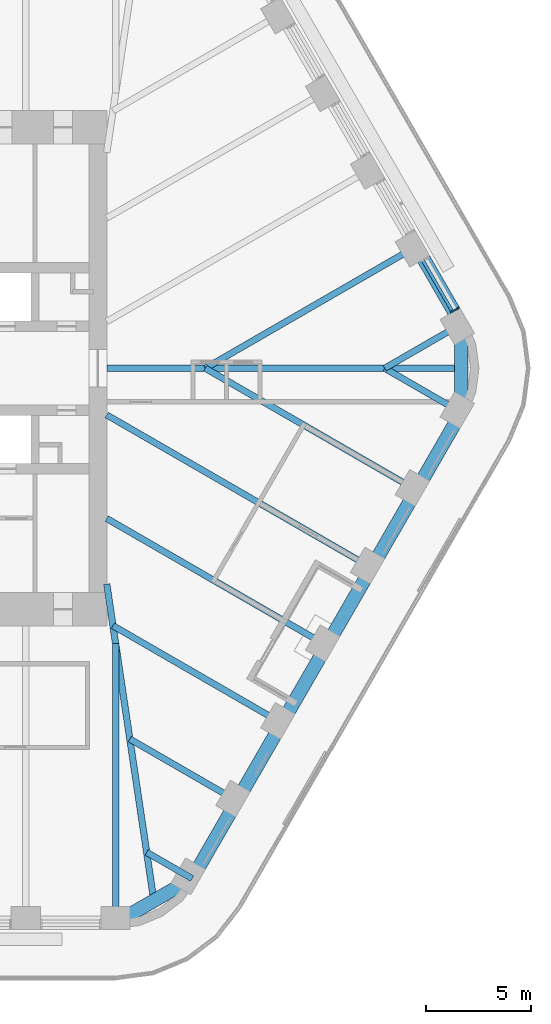
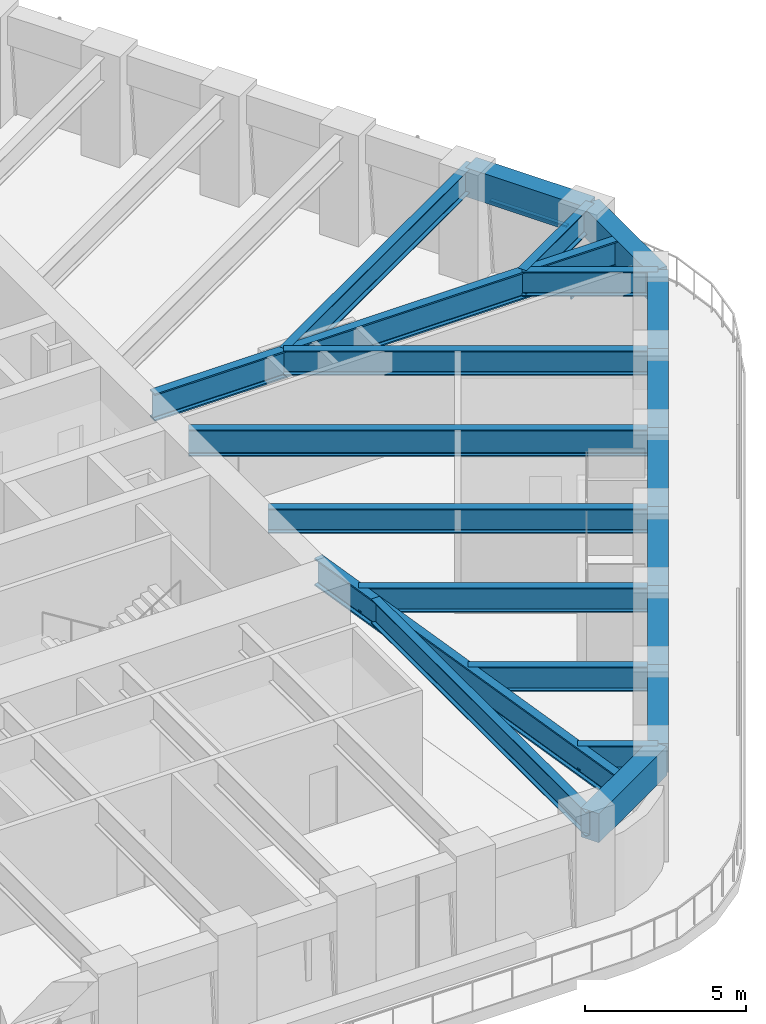
# One storey, part 5 of 19: 21 beams, 2 members, 1 element without a shape of its own.
"""IFC4 building model written with IfcOpenShell, lengths in metres."""

from ifc_helpers import new_model, si_unit, direction, frame, origin, origin_2d, place, context, subcontext, project, spatial, rectangle, i_section, extrude, material, material_profile, profile_set, type_object, element, aggregate, save


model = new_model("IFC4")

# Units and contexts
model_context = context("Model", 3, precision=1e-05, world=origin(), true_north=direction((0.0, 1.0)))
body_context = subcontext(model_context, "Body", "Model", "MODEL_VIEW")
ifc_project = project(units=[si_unit("LENGTHUNIT", "METRE"), si_unit("AREAUNIT", "SQUARE_METRE"), si_unit("VOLUMEUNIT", "CUBIC_METRE"), si_unit("PLANEANGLEUNIT", "RADIAN"), si_unit("MASSUNIT", "GRAM", prefix="KILO")], contexts=[model_context])

# Site, building, storey
site_placement = place(None, origin())
site = spatial("IfcSite", under=ifc_project, at=site_placement, CompositionType="ELEMENT")
building_placement = place(site_placement, origin())
building = spatial("IfcBuilding", under=site, at=building_placement, Name="Tarfa Lantern Tower", CompositionType="ELEMENT")
storey_placement = place(building_placement, frame((0.0, 0.0, 328.300048828125)))
storey = spatial("IfcBuildingStorey", under=building, at=storey_placement, Name="L74", CompositionType="ELEMENT", Elevation=328.300048828125)

# Curtain wall, members
ifc_material_1 = material(Name="Aluminium framed curtain wall", Category="aluminium")
curtain_wall_type = type_object("IfcCurtainWallType", Name="CW4 CANTED GLAZING EXECUTIVE ZONE 2900", PredefinedType="USERDEFINED", material=ifc_material_1)
curtain_wall_placement = place(storey_placement, origin())
curtain_wall = element("IfcCurtainWall", 1, at=curtain_wall_placement, inside=storey, type_object=curtain_wall_type, Name="CW4 NE L74", ObjectType="CURTAIN WALL", PredefinedType="USERDEFINED")
ifc_material_2 = material(Name="Aluminium mullion", Category="aluminium")
ifc_material_profile_1 = material_profile(ifc_material_2, rectangle(XDim=0.06494140625, YDim=0.199951171875, at=origin_2d()), Name="AL MULLION 65x200")
ifc_profile_set_1 = profile_set([ifc_material_profile_1], Name="Aluminium mullion")
member_type_1 = type_object("IfcMemberType", Name="CWM1 MULLION 65x200", PredefinedType="MULLION", material=ifc_profile_set_1)
member_1_placement = place(storey_placement, frame((29.13623046875, 2.83447265625, 0.0), z_axis=(-0.074316405553, -0.042945823525, 0.996309554359), x_axis=(0.500342721131, -0.865827443207, 0.0)))
member_1 = element("IfcMember", 2, at=member_1_placement, type_object=member_type_1, Name="CW4 mullion 1", PredefinedType="MULLION", context=body_context, shape_type="SweptSolid", body=[
    extrude(rectangle(XDim=0.06494140625, YDim=0.199951171875, at=origin_2d()), origin(), (0.0, 0.0, 1.0), 2.91064453125),
])
ifc_material_3 = material(Name="Aluminium transom", Category="aluminium")
ifc_material_profile_2 = material_profile(ifc_material_3, rectangle(XDim=0.14990234375, YDim=0.06494140625, at=origin_2d()), Name="AL TRANSOM 150x65")
ifc_profile_set_2 = profile_set([ifc_material_profile_2], Name="Aluminium transom")
member_type_2 = type_object("IfcMemberType", Name="CWT1 TRANSOM 150x65", PredefinedType="USERDEFINED", material=ifc_profile_set_2)
member_2_placement = place(storey_placement, frame((28.906005859375, 2.739013671875, 2.867431640625), z_axis=(-0.499993790352, 0.866028988896, 0.0), x_axis=(-0.866028988896, -0.499993790352, 0.0)))
member_2 = element("IfcMember", 3, at=member_2_placement, type_object=member_type_2, Name="CW4 transom 1.2", ObjectType="TRANSOM", PredefinedType="USERDEFINED", context=body_context, shape_type="SweptSolid", body=[
    extrude(rectangle(XDim=0.14990234375, YDim=0.06494140625, at=origin_2d()), origin(), (0.0, 0.0, 1.0), 2.751953125),
])
aggregate(curtain_wall, [member_1, member_2])

# Beams
ifc_material_4 = material(Name="Concrete C80/95", Category="concrete")
ifc_material_profile_3 = material_profile(ifc_material_4, rectangle(XDim=0.64990234375, YDim=1.10009765625, at=origin_2d()), Name="RC 650x1100")
ifc_profile_set_3 = profile_set([ifc_material_profile_3], Name="Concrete C80/95")
beam_type_1 = type_object("IfcBeamType", Name="EB4 RC 650x1100", PredefinedType="SPANDREL", material=ifc_profile_set_3)
beam_1_placement = place(storey_placement, frame((29.3466796875, 2.110107421875, 3.449951171875), z_axis=(-0.499984039138, 0.866034618596, 0.0), x_axis=(-0.866034618596, -0.499984039138, 0.0)))
element("IfcBeam", 4, at=beam_1_placement, inside=storey, type_object=beam_type_1, Name="Edge beam NE0", PredefinedType="SPANDREL", context=body_context, shape_type="SweptSolid", body=[
    extrude(rectangle(XDim=0.64990234375, YDim=1.10009765625, at=origin_2d()), origin(), (0.0, 0.0, 1.0), 4.281982421875),
])
beam_2_placement = place(storey_placement, frame((12.845947265625, -26.469970703125, 3.449951171875), z_axis=(0.866048788483, 0.499959494327, 0.0), x_axis=(-0.499959494327, 0.866048788483, 0.0)))
element("IfcBeam", 5, at=beam_2_placement, inside=storey, type_object=beam_type_1, Name="Edge beam S6", PredefinedType="SPANDREL", context=body_context, shape_type="SweptSolid", body=[
    extrude(rectangle(XDim=0.64990234375, YDim=1.10009765625, at=origin_2d()), origin(), (0.0, 0.0, 1.0), 4.219970703125),
])
for number, where, z_axis, x_axis, name in (
    (6, (16.500732421875, -24.360107421875, 3.449951171875), (0.499959351497, 0.866048870937, 0.0), (-0.866048870937, 0.499959351497, 0.0), "Edge beam SE0"),
    (7, (18.6416015625, -20.651611328125, 3.449951171875), (0.500026801138, 0.866009929587, 0.0), (-0.866009929587, 0.500026801138, 0.0), "Edge beam SE1"),
    (8, (20.78271484375, -16.943359375, 3.449951171875), (0.499984039138, 0.866034618596, 0.0), (-0.866034618596, 0.499984039138, 0.0), "Edge beam SE2"),
):
    element("IfcBeam", number, at=place(storey_placement, frame(where, z_axis=z_axis, x_axis=x_axis)), inside=storey, type_object=beam_type_1, Name=name, PredefinedType="SPANDREL", context=body_context, shape_type="SweptSolid", body=[
        extrude(rectangle(XDim=0.64990234375, YDim=1.10009765625, at=origin_2d()), origin(), (0.0, 0.0, 1.0), 4.281982421875),
    ])
beam_3_placement = place(storey_placement, frame((22.923583984375, -13.235107421875, 3.449951171875), z_axis=(0.500002112793, 0.866024183959, 0.0), x_axis=(-0.866024183959, 0.500002112793, 0.0)))
element("IfcBeam", 9, at=beam_3_placement, inside=storey, type_object=beam_type_1, Name="Edge beam SE3", PredefinedType="SPANDREL", context=body_context, shape_type="SweptSolid", body=[
    extrude(rectangle(XDim=0.64990234375, YDim=1.10009765625, at=origin_2d()), origin(), (0.0, 0.0, 1.0), 4.2822265625),
])
for number, where, z_axis, x_axis, name in (
    (10, (25.064697265625, -9.526611328125, 3.449951171875), (0.500026801138, 0.866009929587, 0.0), (-0.866009929587, 0.500026801138, 0.0), "Edge beam SE4"),
    (11, (27.205810546875, -5.818359375, 3.449951171875), (0.499984039138, 0.866034618596, 0.0), (-0.866034618596, 0.499984039138, 0.0), "Edge beam SE5"),
):
    element("IfcBeam", number, at=place(storey_placement, frame(where, z_axis=z_axis, x_axis=x_axis)), inside=storey, type_object=beam_type_1, Name=name, PredefinedType="SPANDREL", context=body_context, shape_type="SweptSolid", body=[
        extrude(rectangle(XDim=0.64990234375, YDim=1.10009765625, at=origin_2d()), origin(), (0.0, 0.0, 1.0), 4.281982421875),
    ])
beam_4_placement = place(storey_placement, frame((29.3466796875, -2.110107421875, 3.449951171875), z_axis=(0.0, 1.0, 0.0), x_axis=(-1.0, 0.0, 0.0)))
element("IfcBeam", 12, at=beam_4_placement, inside=storey, type_object=beam_type_1, Name="Edge beam SE6", PredefinedType="SPANDREL", context=body_context, shape_type="SweptSolid", body=[
    extrude(rectangle(XDim=0.64990234375, YDim=1.10009765625, at=origin_2d()), origin(), (0.0, 0.0, 1.0), 4.22021484375),
])
ifc_material_5 = material(Name="Steel S460M", Category="steel")
ifc_material_profile_4 = material_profile(ifc_material_5, i_section(OverallWidth=0.302001953125, OverallDepth=1.008056640625, WebThickness=0.02099609375, FlangeThickness=0.0400390625, FilletRadius=0.030029296875, at=origin_2d()), Name="UB1016x305x349")
ifc_profile_set_4 = profile_set([ifc_material_profile_4], Name="Steel S460M")
beam_type_2 = type_object("IfcBeamType", Name="UB1016x305x349", PredefinedType="BEAM", material=ifc_profile_set_4)
beam_5_placement = place(storey_placement, frame((25.064697265625, -9.526611328125, 3.495849609375), z_axis=(-0.866029591389, 0.499992746786, 0.0), x_axis=(-0.499992746786, -0.866029591389, 0.0)))
element("IfcBeam", 13, at=beam_5_placement, inside=storey, type_object=beam_type_2, Name="Floor beam SE4", PredefinedType="BEAM", context=body_context, shape_type="SweptSolid", body=[
    extrude(i_section(OverallWidth=0.302001953125, OverallDepth=1.008056640625, WebThickness=0.02099609375, FlangeThickness=0.0400390625, FilletRadius=0.030029296875, at=origin_2d()), origin(), (0.0, 0.0, 1.0), 14.594970703125),
])
ifc_material_profile_5 = material_profile(ifc_material_5, i_section(OverallWidth=0.30859375, OverallDepth=1.036376953125, WebThickness=0.030029296875, FlangeThickness=0.05419921875, FilletRadius=0.030029296875, at=origin_2d()), Name="UB1016x305x487")
ifc_profile_set_5 = profile_set([ifc_material_profile_5], Name="Steel S460M")
beam_type_3 = type_object("IfcBeamType", Name="UB1016x305x487", PredefinedType="BEAM", material=ifc_profile_set_5)
beam_6_placement = place(storey_placement, frame((12.425048828125, 0.0, 3.481689453125), z_axis=(1.0, 0.0, 0.0), x_axis=(0.0, 1.0, 0.0)))
element("IfcBeam", 14, at=beam_6_placement, inside=storey, type_object=beam_type_3, Name="Hip girder E", PredefinedType="BEAM", context=body_context, shape_type="SweptSolid", body=[
    extrude(i_section(OverallWidth=0.30859375, OverallDepth=1.036376953125, WebThickness=0.030029296875, FlangeThickness=0.05419921875, FilletRadius=0.030029296875, at=origin_2d()), origin(), (0.0, 0.0, 1.0), 16.921630859375),
])
beam_7_placement = place(storey_placement, frame((12.425048828125, -10.300048828125, 3.481689453125), z_axis=(0.147127069073, -0.989117599452, 0.0), x_axis=(0.989117599452, 0.147127069073, 0.0)))
element("IfcBeam", 15, at=beam_7_placement, inside=storey, type_object=beam_type_3, Name="Hip girder SE", PredefinedType="BEAM", context=body_context, shape_type="SweptSolid", body=[
    extrude(i_section(OverallWidth=0.30859375, OverallDepth=1.036376953125, WebThickness=0.030029296875, FlangeThickness=0.05419921875, FilletRadius=0.030029296875, at=origin_2d()), origin(), (0.0, 0.0, 1.0), 15.28125),
])
ifc_material_profile_6 = material_profile(ifc_material_5, i_section(OverallWidth=0.305419921875, OverallDepth=0.91845703125, WebThickness=0.017333984375, FlangeThickness=0.02783203125, FilletRadius=0.01904296875, at=origin_2d()), Name="UB914x305x253")
ifc_profile_set_6 = profile_set([ifc_material_profile_6], Name="Steel S460M")
beam_type_4 = type_object("IfcBeamType", Name="UB914x305x253", PredefinedType="BEAM", material=ifc_profile_set_6)
beam_8_placement = place(storey_placement, frame((29.3466796875, 2.110107421875, 3.540771484375), z_axis=(-0.866009274789, -0.500027935199, 0.0), x_axis=(0.500027935199, -0.866009274789, 0.0)))
element("IfcBeam", 16, at=beam_8_placement, inside=storey, type_object=beam_type_4, Name="Floor beam NE0", PredefinedType="BEAM", context=body_context, shape_type="SweptSolid", body=[
    extrude(i_section(OverallWidth=0.305419921875, OverallDepth=0.91845703125, WebThickness=0.017333984375, FlangeThickness=0.02783203125, FilletRadius=0.01904296875, at=origin_2d()), origin(), (0.0, 0.0, 1.0), 4.219970703125),
])
beam_9_placement = place(storey_placement, frame((27.205810546875, 5.818359375, 3.540771484375), z_axis=(-0.866024171998, -0.500002133511, 0.0), x_axis=(0.500002133511, -0.866024171998, 0.0)))
element("IfcBeam", 17, at=beam_9_placement, inside=storey, type_object=beam_type_4, Name="Floor beam NE1", PredefinedType="BEAM", context=body_context, shape_type="SweptSolid", body=[
    extrude(i_section(OverallWidth=0.305419921875, OverallDepth=0.91845703125, WebThickness=0.017333984375, FlangeThickness=0.02783203125, FilletRadius=0.01904296875, at=origin_2d()), origin(), (0.0, 0.0, 1.0), 11.63671875),
])
beam_10_placement = place(storey_placement, frame((12.845947265625, -26.469970703125, 3.540771484375), z_axis=(0.0, 1.0, 0.0), x_axis=(-1.0, 0.0, 0.0)))
element("IfcBeam", 18, at=beam_10_placement, inside=storey, type_object=beam_type_4, Name="Floor beam S6", PredefinedType="BEAM", context=body_context, shape_type="SweptSolid", body=[
    extrude(i_section(OverallWidth=0.305419921875, OverallDepth=0.91845703125, WebThickness=0.017333984375, FlangeThickness=0.02783203125, FilletRadius=0.01904296875, at=origin_2d()), origin(), (0.0, 0.0, 1.0), 13.33935546875),
])
beam_11_placement = place(storey_placement, frame((16.500732421875, -24.360107421875, 3.540771484375), z_axis=(-0.865992557167, 0.500056887695, 0.0), x_axis=(-0.500056887695, -0.865992557167, 0.0)))
element("IfcBeam", 19, at=beam_11_placement, inside=storey, type_object=beam_type_4, Name="Floor beam SE0", PredefinedType="BEAM", context=body_context, shape_type="SweptSolid", body=[
    extrude(i_section(OverallWidth=0.305419921875, OverallDepth=0.91845703125, WebThickness=0.017333984375, FlangeThickness=0.02783203125, FilletRadius=0.01904296875, at=origin_2d()), origin(), (0.0, 0.0, 1.0), 2.506591796875),
])
beam_12_placement = place(storey_placement, frame((18.6416015625, -20.651611328125, 3.540771484375), z_axis=(-0.866024549157, 0.500001480256, 0.0), x_axis=(-0.500001480256, -0.866024549157, 0.0)))
element("IfcBeam", 20, at=beam_12_placement, inside=storey, type_object=beam_type_4, Name="Floor beam SE1", PredefinedType="BEAM", context=body_context, shape_type="SweptSolid", body=[
    extrude(i_section(OverallWidth=0.305419921875, OverallDepth=0.91845703125, WebThickness=0.017333984375, FlangeThickness=0.02783203125, FilletRadius=0.01904296875, at=origin_2d()), origin(), (0.0, 0.0, 1.0), 5.90771484375),
])
beam_13_placement = place(storey_placement, frame((20.78271484375, -16.943359375, 3.540771484375), z_axis=(-0.866021806508, 0.500006230613, 0.0), x_axis=(-0.500006230613, -0.866021806508, 0.0)))
element("IfcBeam", 21, at=beam_13_placement, inside=storey, type_object=beam_type_4, Name="Floor beam SE2", PredefinedType="BEAM", context=body_context, shape_type="SweptSolid", body=[
    extrude(i_section(OverallWidth=0.305419921875, OverallDepth=0.91845703125, WebThickness=0.017333984375, FlangeThickness=0.02783203125, FilletRadius=0.01904296875, at=origin_2d()), origin(), (0.0, 0.0, 1.0), 9.30908203125),
])
beam_14_placement = place(storey_placement, frame((22.923583984375, -13.235107421875, 3.540771484375), z_axis=(-0.86601856927, 0.500011837539, 0.0), x_axis=(-0.500011837539, -0.86601856927, 0.0)))
element("IfcBeam", 22, at=beam_14_placement, inside=storey, type_object=beam_type_4, Name="Floor beam SE3", PredefinedType="BEAM", context=body_context, shape_type="SweptSolid", body=[
    extrude(i_section(OverallWidth=0.305419921875, OverallDepth=0.91845703125, WebThickness=0.017333984375, FlangeThickness=0.02783203125, FilletRadius=0.01904296875, at=origin_2d()), origin(), (0.0, 0.0, 1.0), 12.122802734375),
])
beam_15_placement = place(storey_placement, frame((27.205810546875, -5.818359375, 3.540771484375), z_axis=(-0.866024171998, 0.500002133511, 0.0), x_axis=(-0.500002133511, -0.866024171998, 0.0)))
element("IfcBeam", 23, at=beam_15_placement, inside=storey, type_object=beam_type_4, Name="Floor beam SE5", PredefinedType="BEAM", context=body_context, shape_type="SweptSolid", body=[
    extrude(i_section(OverallWidth=0.305419921875, OverallDepth=0.91845703125, WebThickness=0.017333984375, FlangeThickness=0.02783203125, FilletRadius=0.01904296875, at=origin_2d()), origin(), (0.0, 0.0, 1.0), 11.63671875),
])
beam_16_placement = place(storey_placement, frame((29.3466796875, -2.110107421875, 3.540771484375), z_axis=(-0.866009274789, 0.500027935199, 0.0), x_axis=(-0.500027935199, -0.866009274789, 0.0)))
element("IfcBeam", 24, at=beam_16_placement, inside=storey, type_object=beam_type_4, Name="Floor beam SE6", PredefinedType="BEAM", context=body_context, shape_type="SweptSolid", body=[
    extrude(i_section(OverallWidth=0.305419921875, OverallDepth=0.91845703125, WebThickness=0.017333984375, FlangeThickness=0.02783203125, FilletRadius=0.01904296875, at=origin_2d()), origin(), (0.0, 0.0, 1.0), 4.219970703125),
])

save(model, "model.ifc")
